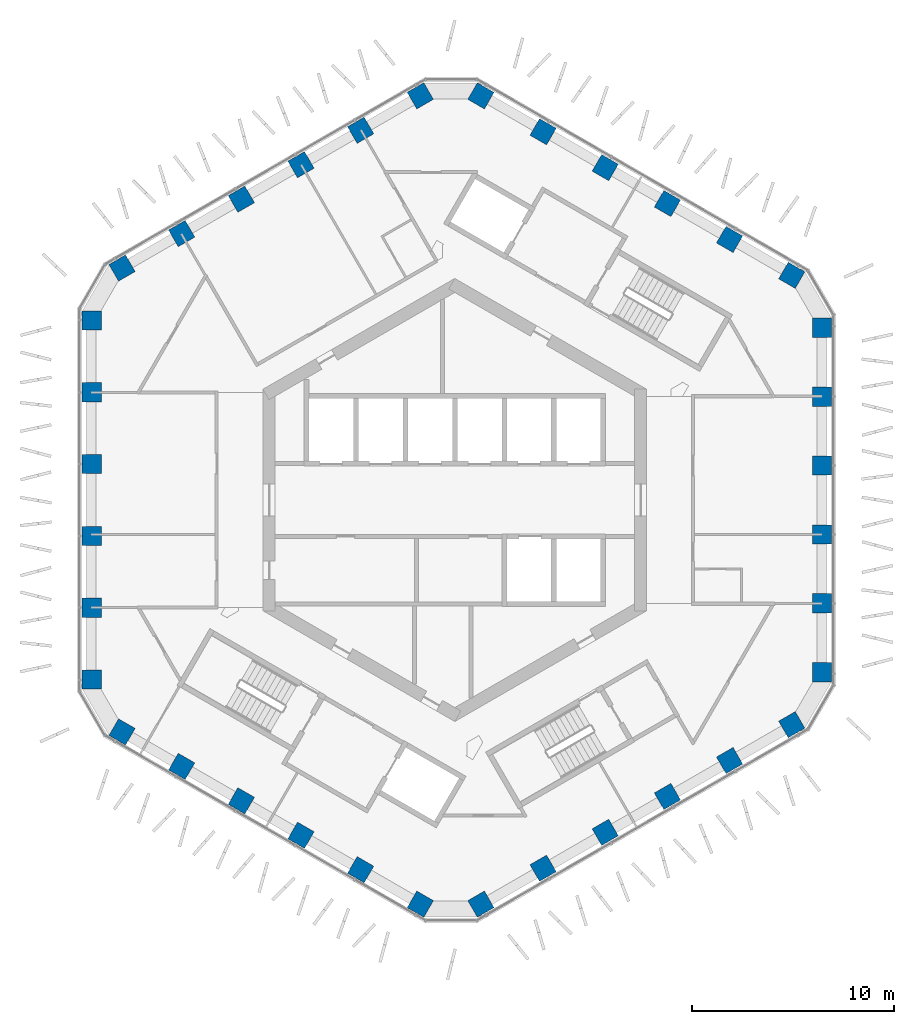
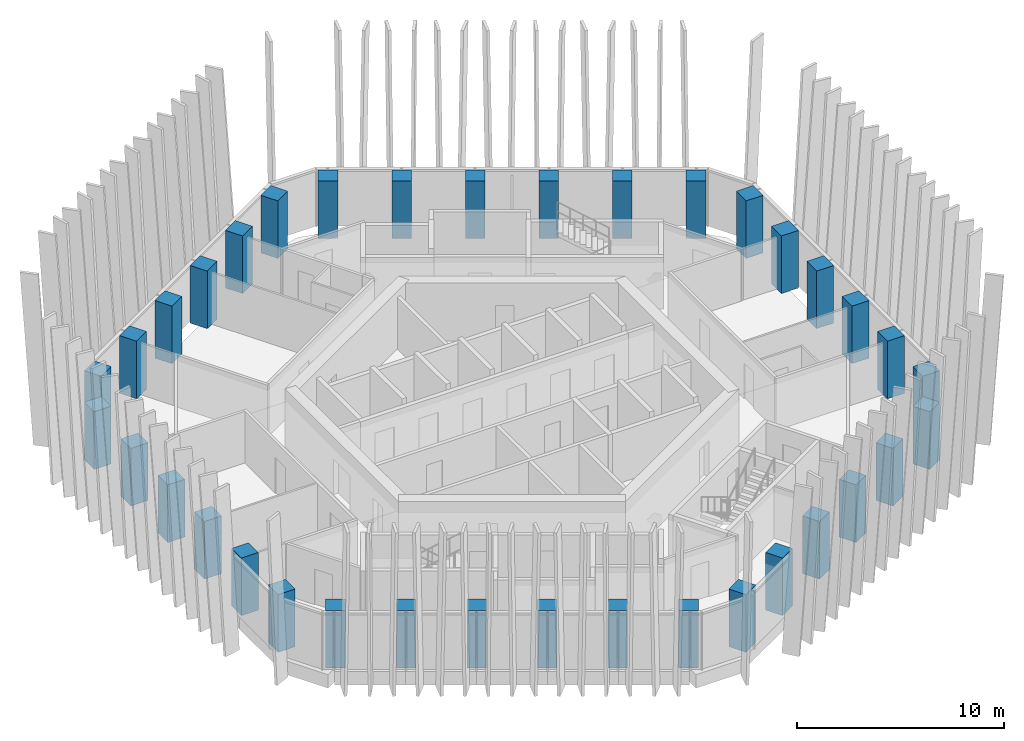
# One storey, part 1 of 20: 36 columns.
"""IFC4 building model written with IfcOpenShell, lengths in metres."""

from ifc_helpers import new_model, si_unit, direction, frame, origin, origin_2d, place, context, subcontext, project, spatial, rectangle, extrude, material, material_profile, profile_set, type_object, element, save


model = new_model("IFC4")

# Units and contexts
model_context = context("Model", 3, precision=1e-05, world=origin(), true_north=direction((0.0, 1.0)))
body_context = subcontext(model_context, "Body", "Model", "MODEL_VIEW")
ifc_project = project(units=[si_unit("LENGTHUNIT", "METRE"), si_unit("AREAUNIT", "SQUARE_METRE"), si_unit("VOLUMEUNIT", "CUBIC_METRE"), si_unit("PLANEANGLEUNIT", "RADIAN"), si_unit("MASSUNIT", "GRAM", prefix="KILO")], contexts=[model_context])

# Site, building, storey
site_placement = place(None, origin())
site = spatial("IfcSite", under=ifc_project, at=site_placement, CompositionType="ELEMENT")
building_placement = place(site_placement, origin())
building = spatial("IfcBuilding", under=site, at=building_placement, Name="Ayvan Gate Tower", CompositionType="ELEMENT")
storey_placement = place(building_placement, frame((0.0, 0.0, 162.89990234375)))
storey = spatial("IfcBuildingStorey", under=building, at=storey_placement, Name="L43", CompositionType="ELEMENT", Elevation=162.89990234375)

# Columns
ifc_material = material(Name="Concrete C55/67", Category="concrete")
ifc_material_profile = material_profile(ifc_material, rectangle(XDim=0.949951171875, YDim=0.949951171875, at=origin_2d()), Name="RC 950x950")
ifc_profile_set = profile_set([ifc_material_profile], Name="Concrete C55/67")
column_type = type_object("IfcColumnType", Name="Tube column RC 950x950 C55/67", PredefinedType="COLUMN", material=ifc_profile_set)
for number, where, z_axis, x_axis, name in (
    (1, (18.1865234375, -8.528076171875, 0.0), (0.0, 0.0, 1.0), (1.0, 0.0, 0.0), "C-T0-0-L43"),
    (2, (18.1865234375, -5.116943359375, 0.0), (0.0, 0.0, 1.0), (1.0, 0.0, 0.0), "C-T0-1-L43"),
    (3, (18.1865234375, -1.70556640625, 0.0), (0.0, 0.0, 1.0), (1.0, 0.0, 0.0), "C-T0-2-L43"),
    (4, (18.1865234375, 1.70556640625, 0.0), (0.0, 0.0, 1.0), (1.0, 0.0, 0.0), "C-T0-3-L43"),
    (5, (18.1865234375, 5.116943359375, 0.0), (0.0, 0.0, 1.0), (1.0, 0.0, 0.0), "C-T0-4-L43"),
    (6, (18.1865234375, 8.528076171875, 0.0), (0.0, 0.0, 1.0), (1.0, 0.0, 0.0), "C-T0-5-L43"),
    (7, (16.6865234375, 11.126220703125, 0.0), (0.0, 0.0, 1.0), (0.5, 0.866025403784, 0.0), "C-T1-0-L43"),
    (8, (13.607666015625, 12.90380859375, 0.0), (0.0, 0.0, 1.0), (0.5, 0.866025403784, 0.0), "C-T1-1-L43"),
    (9, (10.52880859375, 14.681396484375, 0.0), (0.0, 0.0, 1.0), (0.5, 0.866025403784, 0.0), "C-T1-2-L43"),
    (10, (7.449951171875, 16.458984375, 0.0), (0.0, 0.0, 1.0), (0.5, 0.866025403784, 0.0), "C-T1-3-L43"),
    (11, (4.37109375, 18.236572265625, 0.0), (0.0, 0.0, 1.0), (0.5, 0.866025403784, 0.0), "C-T1-4-L43"),
    (12, (1.292236328125, 20.01416015625, 0.0), (0.0, 0.0, 1.0), (0.5, 0.866025403784, 0.0), "C-T1-5-L43"),
    (13, (-1.707763671875, 20.01416015625, 0.0), (0.0, 0.0, 1.0), (-0.5, 0.866025403784, 0.0), "C-T2-0-L43"),
    (14, (-4.661865234375, 18.308349609375, 0.0), (0.0, 0.0, 1.0), (-0.5, 0.866025403784, 0.0), "C-T2-1-L43"),
    (15, (-7.6162109375, 16.602783203125, 0.0), (0.0, 0.0, 1.0), (-0.5, 0.866025403784, 0.0), "C-T2-2-L43"),
    (16, (-10.5703125, 14.897216796875, 0.0), (0.0, 0.0, 1.0), (-0.5, 0.866025403784, 0.0), "C-T2-3-L43"),
    (17, (-13.524658203125, 13.191650390625, 0.0), (0.0, 0.0, 1.0), (-0.5, 0.866025403784, 0.0), "C-T2-4-L43"),
    (18, (-16.478759765625, 11.48583984375, 0.0), (0.0, 0.0, 1.0), (-0.5, 0.866025403784, 0.0), "C-T2-5-L43"),
    (19, (-17.978759765625, 8.887939453125, 0.0), (0.0, 0.0, 1.0), (-1.0, 0.0, 0.0), "C-T3-0-L43"),
    (20, (-17.978759765625, 5.332763671875, 0.0), (0.0, 0.0, 1.0), (-1.0, 0.0, 0.0), "C-T3-1-L43"),
    (21, (-17.978759765625, 1.777587890625, 0.0), (0.0, 0.0, 1.0), (-1.0, 0.0, 0.0), "C-T3-2-L43"),
    (22, (-17.978759765625, -1.777587890625, 0.0), (0.0, 0.0, 1.0), (-1.0, 0.0, 0.0), "C-T3-3-L43"),
    (23, (-17.978759765625, -5.332763671875, 0.0), (0.0, 0.0, 1.0), (-1.0, 0.0, 0.0), "C-T3-4-L43"),
    (24, (-17.978759765625, -8.887939453125, 0.0), (0.0, 0.0, 1.0), (-1.0, 0.0, 0.0), "C-T3-5-L43"),
    (25, (-16.478759765625, -11.48583984375, 0.0), (0.0, 0.0, 1.0), (-0.5, -0.866025403784, 0.0), "C-T4-0-L43"),
    (26, (-13.524658203125, -13.191650390625, 0.0), (0.0, 0.0, 1.0), (-0.5, -0.866025403784, 0.0), "C-T4-1-L43"),
    (27, (-10.5703125, -14.897216796875, 0.0), (0.0, 0.0, 1.0), (-0.5, -0.866025403784, 0.0), "C-T4-2-L43"),
    (28, (-7.6162109375, -16.602783203125, 0.0), (0.0, 0.0, 1.0), (-0.5, -0.866025403784, 0.0), "C-T4-3-L43"),
    (29, (-4.661865234375, -18.308349609375, 0.0), (0.0, 0.0, 1.0), (-0.5, -0.866025403784, 0.0), "C-T4-4-L43"),
    (30, (-1.707763671875, -20.01416015625, 0.0), (0.0, 0.0, 1.0), (-0.5, -0.866025403784, 0.0), "C-T4-5-L43"),
    (31, (1.292236328125, -20.01416015625, 0.0), (0.0, 0.0, 1.0), (0.5, -0.866025403784, 0.0), "C-T5-0-L43"),
    (32, (4.37109375, -18.236572265625, 0.0), (0.0, 0.0, 1.0), (0.5, -0.866025403784, 0.0), "C-T5-1-L43"),
    (33, (7.449951171875, -16.458984375, 0.0), (0.0, 0.0, 1.0), (0.5, -0.866025403784, 0.0), "C-T5-2-L43"),
    (34, (10.52880859375, -14.681396484375, 0.0), (0.0, 0.0, 1.0), (0.5, -0.866025403784, 0.0), "C-T5-3-L43"),
    (35, (13.607666015625, -12.90380859375, 0.0), (0.0, 0.0, 1.0), (0.5, -0.866025403784, 0.0), "C-T5-4-L43"),
    (36, (16.6865234375, -11.126220703125, 0.0), (0.0, 0.0, 1.0), (0.5, -0.866025403784, 0.0), "C-T5-5-L43"),
):
    element("IfcColumn", number, at=place(storey_placement, frame(where, z_axis=z_axis, x_axis=x_axis)), inside=storey, type_object=column_type, Name=name, PredefinedType="COLUMN", context=body_context, shape_type="SweptSolid", body=[
        extrude(rectangle(XDim=0.949951171875, YDim=0.949951171875, at=origin_2d()), origin(), (0.0, 0.0, 1.0), 3.400146484375),
    ])

save(model, "model.ifc")
